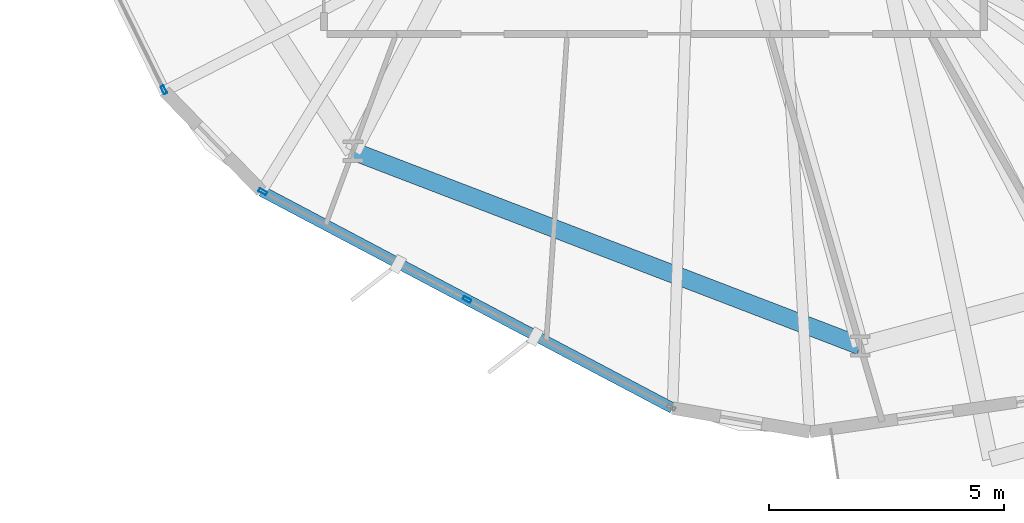
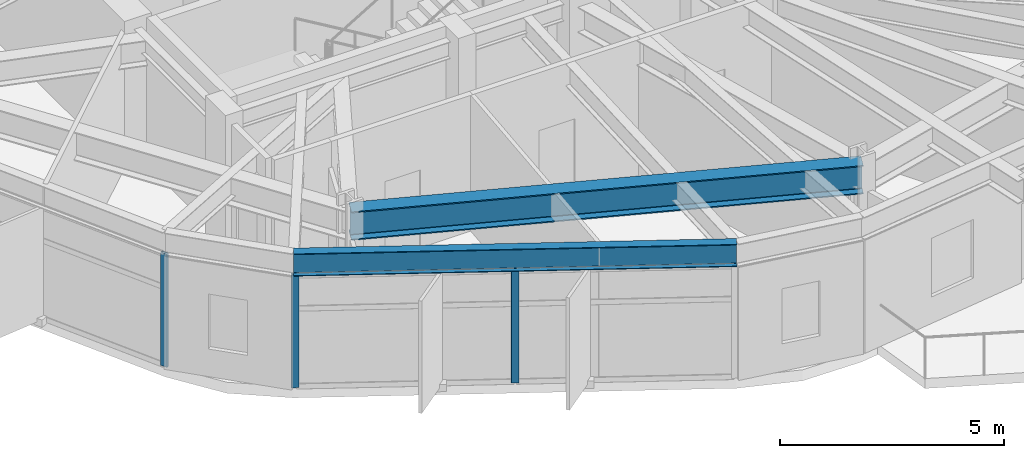
# One storey, part 2 of 22: 3 members, 2 beams, 2 elements without a shape of their own.
"""IFC4 building model written with IfcOpenShell, lengths in metres."""

import ifcopenshell
import ifcopenshell.guid

model = None  # the IFC model being written
_history = None  # IfcOwnerHistory: only IFC2X3 demands one
_inside = {}  # id of a spatial element -> (the spatial element, [elements in it])
_under = {}  # id of a project, library or spatial element -> (it, [spatial elements below it])
_declared = {}  # id of a project -> (the project, [libraries it declares])
_typed = {}  # id of a type object -> (the type object, [elements of that type])
_made_of = {}  # id of a material, layer set ... -> (it, [elements and type objects made of it])


def new_model(schema):
    """Start an empty IFC model of exactly this schema.

    Asked for "IFC4X3", IfcOpenShell would pick the latest addendum, in which some entities
    have other attributes; the version numbers below select the first issue.
    IFC2X3 requires an IfcOwnerHistory on every rooted entity: one is made here for all.
    """
    global model, _history
    if schema == "IFC4X3":
        model = ifcopenshell.file(schema_version=(4, 3, 0, 0))
    else:
        model = ifcopenshell.file(schema=schema)
    _inside.clear()
    _under.clear()
    _declared.clear()
    _typed.clear()
    _made_of.clear()
    _history = None
    if model.schema == "IFC2X3":
        org = make("IfcOrganization", Name="unknown")
        user = make(
            "IfcPersonAndOrganization",
            ThePerson=make("IfcPerson", FamilyName="unknown"),
            TheOrganization=org,
        )
        app = make(
            "IfcApplication",
            ApplicationDeveloper=org,
            Version="unknown",
            ApplicationFullName="unknown",
            ApplicationIdentifier="unknown",
        )
        _history = make(
            "IfcOwnerHistory",
            OwningUser=user,
            OwningApplication=app,
            ChangeAction="ADDED",
            CreationDate=0,
        )
    return model


def make(cls, **values):
    """One entity of the class cls with the attributes given. An attribute that is None is left unset."""
    return model.create_entity(
        cls, **{name: value for name, value in values.items() if value is not None}
    )


def rooted(cls, **values):
    """An entity with a GlobalId (a new one), such as an element, a storey or a relation."""
    return make(cls, GlobalId=ifcopenshell.guid.new(), OwnerHistory=_history, **values)


def si_unit(unit_type, name, prefix=None):
    """IfcSIUnit, for example si_unit("LENGTHUNIT", "METRE", prefix="MILLI")."""
    return make("IfcSIUnit", UnitType=unit_type, Prefix=prefix, Name=name)


def assignment(units):
    """IfcUnitAssignment: the units of a project."""
    return None if units is None else make("IfcUnitAssignment", Units=units)


def point(xyz):
    """IfcCartesianPoint."""
    return None if xyz is None else make("IfcCartesianPoint", Coordinates=xyz)


def direction(xyz):
    """IfcDirection."""
    return None if xyz is None else make("IfcDirection", DirectionRatios=xyz)


def frame(location, z_axis=None, x_axis=None):
    """IfcAxis2Placement3D, a coordinate frame: its origin and axes. An axis left out is left unset."""
    return make(
        "IfcAxis2Placement3D",
        Location=point(location),
        Axis=direction(z_axis),
        RefDirection=direction(x_axis),
    )


def frame_2d(location, x_axis=None):
    """IfcAxis2Placement2D, a coordinate frame in the plane: its origin and x axis."""
    return make(
        "IfcAxis2Placement2D", Location=point(location), RefDirection=direction(x_axis)
    )


def origin():
    """The frame at (0, 0, 0) with its axes left unset."""
    return frame((0.0, 0.0, 0.0))


def origin_2d():
    """The frame at (0, 0) in the plane with its x axis left unset."""
    return frame_2d((0.0, 0.0))


def place(relative_to, where):
    """IfcLocalPlacement: puts the frame where relative to a parent placement (None: the world)."""
    return make(
        "IfcLocalPlacement", PlacementRelTo=relative_to, RelativePlacement=where
    )


def context(
    kind, dimensions, precision=None, world=None, true_north=None, identifier=None
):
    """IfcGeometricRepresentationContext, for example the 3D "Model" context."""
    return make(
        "IfcGeometricRepresentationContext",
        ContextIdentifier=identifier,
        ContextType=kind,
        CoordinateSpaceDimension=dimensions,
        Precision=precision,
        WorldCoordinateSystem=world,
        TrueNorth=true_north,
    )


def subcontext(parent, identifier, kind, view, scale=None):
    """IfcGeometricRepresentationSubContext, for example "Body" below "Model"."""
    return make(
        "IfcGeometricRepresentationSubContext",
        ContextIdentifier=identifier,
        ContextType=kind,
        ParentContext=parent,
        TargetScale=scale,
        TargetView=view,
    )


def project(units=None, contexts=None):
    """IfcProject with its units and contexts."""
    return rooted(
        "IfcProject",
        Name="project",
        RepresentationContexts=contexts,
        UnitsInContext=assignment(units),
    )


def spatial(cls, under=None, at=None, **own):
    """A site, building, storey or space (cls), placed at a placement, below another one or the project."""
    s = rooted(cls, ObjectPlacement=at, **own)
    if under is not None:
        _under.setdefault(under.id(), (under, []))[1].append(s)
    return s


def profile(cls, at=None, kind="AREA", **sizes):
    """A parametric profile (cls). Its sizes go by their IFC names, for example OverallWidth=200.0."""
    return make(cls, ProfileType=kind, Position=at, **sizes)


def hollow_rectangle(**sizes):
    """IfcRectangleHollowProfileDef."""
    return profile("IfcRectangleHollowProfileDef", **sizes)


def i_section(**sizes):
    """IfcIShapeProfileDef."""
    return profile("IfcIShapeProfileDef", **sizes)


def extrude(swept, where, along, depth):
    """IfcExtrudedAreaSolid: the profile swept, set in the frame where, extruded along a direction by depth."""
    return make(
        "IfcExtrudedAreaSolid",
        SweptArea=swept,
        Position=where,
        ExtrudedDirection=direction(along),
        Depth=depth,
    )


def shape(context_of_items, identifier, shape_type, items):
    """IfcShapeRepresentation: the items that make up one representation, for example the "Body"."""
    return make(
        "IfcShapeRepresentation",
        ContextOfItems=context_of_items,
        RepresentationIdentifier=identifier,
        RepresentationType=shape_type,
        Items=items,
    )


def material(Name=None, Category=None):
    """IfcMaterial."""
    return make("IfcMaterial", Name=Name, Category=Category)


def layer(
    of_material, thickness, ventilated=None, Name=None, Category=None, Priority=None
):
    """IfcMaterialLayer: one layer of a wall or slab, of a material (None: an air gap)."""
    return make(
        "IfcMaterialLayer",
        Material=of_material,
        LayerThickness=thickness,
        IsVentilated=ventilated,
        Name=Name,
        Category=Category,
        Priority=Priority,
    )


def layer_set(layers, Name=None):
    """IfcMaterialLayerSet."""
    return make("IfcMaterialLayerSet", MaterialLayers=layers, LayerSetName=Name)


def material_profile(
    of_material, cross_section, Name=None, Category=None, Priority=None
):
    """IfcMaterialProfile: a cross section and its material."""
    return make(
        "IfcMaterialProfile",
        Name=Name,
        Material=of_material,
        Profile=cross_section,
        Priority=Priority,
        Category=Category,
    )


def profile_set(profiles, Name=None, composite=None):
    """IfcMaterialProfileSet."""
    return make(
        "IfcMaterialProfileSet",
        Name=Name,
        MaterialProfiles=profiles,
        CompositeProfile=composite,
    )


def made_of(thing, what):
    """Note that an element or type object is made of a material, layer set ...; save() writes the relation."""
    if what is not None:
        _made_of.setdefault(what.id(), (what, []))[1].append(thing)
    return thing


def type_object(cls, material=None, **own):
    """A type object (cls), such as IfcWallType, which elements share."""
    return made_of(rooted(cls, **own), material)


def element(
    cls,
    number,
    at=None,
    inside=None,
    cuts=None,
    type_object=None,
    material=None,
    context=None,
    identifier="Body",
    shape_type=None,
    held_by="IfcProductDefinitionShape",
    body=None,
    shapes=None,
    **own,
):
    """One element of the class cls, such as IfcWall. Its Tag is "e" and its number.

    at: its placement. inside: the storey or other place that contains it. cuts: it is an
    opening in that element (IfcRelVoidsElement). A single representation is given by context,
    identifier, shape_type and body (its items); several are given by shapes. held_by: the class
    of the entity that holds the representations. save() writes the other relations.
    """
    e = rooted(cls, Tag="e%d" % number, ObjectPlacement=at, **own)
    if body is not None:
        shapes = [shape(context, identifier, shape_type, body)]
    if shapes is not None:
        e.Representation = make(held_by, Representations=shapes)
    if inside is not None:
        _inside.setdefault(inside.id(), (inside, []))[1].append(e)
    if cuts is not None:
        rooted(
            "IfcRelVoidsElement", RelatingBuildingElement=cuts, RelatedOpeningElement=e
        )
    if type_object is not None:
        _typed.setdefault(type_object.id(), (type_object, []))[1].append(e)
    return made_of(e, material)


def aggregate(whole, parts):
    """IfcRelAggregates: a whole, such as a stair, and the parts it consists of."""
    return rooted("IfcRelAggregates", RelatingObject=whole, RelatedObjects=parts)


def save(model, path):
    """Write the relations noted so far, then the file.

    IfcRelAggregates (storeys below a building ...), IfcRelContainedInSpatialStructure (elements
    in a storey), IfcRelDefinesByType, IfcRelAssociatesMaterial and IfcRelDeclares: one each for
    every whole, place, type object, material and project.
    """
    for whole, parts in _under.values():
        aggregate(whole, parts)
    for where, things in _inside.values():
        rooted(
            "IfcRelContainedInSpatialStructure",
            RelatedElements=things,
            RelatingStructure=where,
        )
    for kind, things in _typed.values():
        rooted("IfcRelDefinesByType", RelatedObjects=things, RelatingType=kind)
    for what, things in _made_of.values():
        rooted("IfcRelAssociatesMaterial", RelatedObjects=things, RelatingMaterial=what)
    for by, libraries in _declared.values():
        rooted("IfcRelDeclares", RelatingContext=by, RelatedDefinitions=libraries)
    model.write(path)


model = new_model("IFC4")

# Units and contexts
model_context = context("Model", 3, precision=1e-05, world=origin(), true_north=direction((0.0, 1.0)))
body_context = subcontext(model_context, "Body", "Model", "MODEL_VIEW")
ifc_project = project(units=[si_unit("LENGTHUNIT", "METRE"), si_unit("AREAUNIT", "SQUARE_METRE"), si_unit("VOLUMEUNIT", "CUBIC_METRE"), si_unit("PLANEANGLEUNIT", "RADIAN"), si_unit("MASSUNIT", "GRAM", prefix="KILO")], contexts=[model_context])

# Site, building, storey
site_placement = place(None, origin())
site = spatial("IfcSite", under=ifc_project, at=site_placement, CompositionType="ELEMENT")
building_placement = place(site_placement, origin())
building = spatial("IfcBuilding", under=site, at=building_placement, Name="Soratama Intermodal Tower", CompositionType="ELEMENT")
storey_placement = place(building_placement, frame((0.0, 0.0, 58.60009765625)))
storey = spatial("IfcBuildingStorey", under=building, at=storey_placement, Name="L13", CompositionType="ELEMENT", Elevation=58.60009765625)

# Beams
ifc_material_1 = material(Name="Structural steel ASTM A992 Grade 50", Category="steel")
ifc_material_profile_1 = material_profile(ifc_material_1, i_section(OverallWidth=0.382080078125, OverallDepth=0.779052734375, WebThickness=0.01806640625, FlangeThickness=0.030029296875, FilletRadius=0.01806640625, at=origin_2d()), Name="W30X191")
ifc_profile_set_1 = profile_set([ifc_material_profile_1], Name="Structural steel ASTM A992 Grade 50")
beam_type_1 = type_object("IfcBeamType", Name="BM-RING-W30X191", PredefinedType="BEAM", material=ifc_profile_set_1)
beam_1_placement = place(storey_placement, frame((33.218994140625, 10.451904296875, 3.310302734375), z_axis=(0.933584159632, -0.358358224246, 0.0), x_axis=(0.358358224246, 0.933584159632, 0.0)))
element("IfcBeam", 1, at=beam_1_placement, inside=storey, type_object=beam_type_1, Name="BM-L13-RING-07", PredefinedType="BEAM", context=body_context, shape_type="SweptSolid", body=[
    extrude(i_section(OverallWidth=0.382080078125, OverallDepth=0.779052734375, WebThickness=0.01806640625, FlangeThickness=0.030029296875, FilletRadius=0.01806640625, at=origin_2d()), origin(), (0.0, 0.0, 1.0), 11.5693359375),
])
ifc_material_2 = material(Name="Structural steel ASTM A992 Grade 50", Category="steel")
ifc_material_profile_2 = material_profile(ifc_material_2, i_section(OverallWidth=0.22900390625, OverallDepth=0.612060546875, WebThickness=0.011962890625, FlangeThickness=0.01953125, FilletRadius=0.012939453125, at=origin_2d()), Name="W24X84")
ifc_profile_set_2 = profile_set([ifc_material_profile_2], Name="Structural steel ASTM A992 Grade 50")
beam_type_2 = type_object("IfcBeamType", Name="BM-SPN-W24X84", PredefinedType="SPANDREL", material=ifc_profile_set_2)
beam_2_placement = place(storey_placement, frame((31.27294921875, 9.60302734375, 3.393798828125), z_axis=(0.884257978379, -0.466998744831, 0.0), x_axis=(0.466998744831, 0.884257978379, 0.0)))
element("IfcBeam", 2, at=beam_2_placement, inside=storey, type_object=beam_type_2, Name="BS-L13-F07", PredefinedType="SPANDREL", context=body_context, shape_type="SweptSolid", body=[
    extrude(i_section(OverallWidth=0.22900390625, OverallDepth=0.612060546875, WebThickness=0.011962890625, FlangeThickness=0.01953125, FilletRadius=0.012939453125, at=origin_2d()), origin(), (0.0, 0.0, 1.0), 9.895263671875),
])

# Curtain wall, member
ifc_material_3 = material(Name="Double-glazed aluminium curtain wall", Category="aluminium")
ifc_layer = layer(ifc_material_3, 0.159912109375)
ifc_layer_set = layer_set([ifc_layer], Name="Double-glazed aluminium curtain wall")
curtain_wall_type = type_object("IfcCurtainWallType", Name="CW-SYS-2", PredefinedType="NOTDEFINED", material=ifc_layer_set)
curtain_wall_1_placement = place(storey_placement, origin())
curtain_wall_1 = element("IfcCurtainWall", 3, at=curtain_wall_1_placement, inside=storey, type_object=curtain_wall_type, Name="L13 Faceted Curtain Wall F06", PredefinedType="NOTDEFINED")
ifc_material_4 = material(Name="Anodised aluminium AA 6063-T6", Category="aluminium")
ifc_material_profile_3 = material_profile(ifc_material_4, hollow_rectangle(XDim=0.074951171875, YDim=0.179931640625, WallThickness=0.006103515625, InnerFilletRadius=0.006103515625, OuterFilletRadius=0.011962890625, at=origin_2d()), Name="CWM180X75X6")
ifc_profile_set_3 = profile_set([ifc_material_profile_3], Name="Anodised aluminium AA 6063-T6")
member_type = type_object("IfcMemberType", Name="MT-CWM-2", PredefinedType="MULLION", material=ifc_profile_set_3)
member_1_placement = place(storey_placement, frame((29.193603515625, 11.7578125, 0.0), z_axis=(0.0, 0.0, 1.0), x_axis=(0.897568289772, 0.440875453156, 0.0)))
member_1 = element("IfcMember", 4, at=member_1_placement, type_object=member_type, Name="CW-2 mullion 3", PredefinedType="MULLION", context=body_context, shape_type="SweptSolid", body=[
    extrude(hollow_rectangle(XDim=0.074951171875, YDim=0.179931640625, WallThickness=0.006103515625, InnerFilletRadius=0.006103515625, OuterFilletRadius=0.011962890625, at=origin_2d()), origin(), (0.0, 0.0, 1.0), 3.078857421875),
])
aggregate(curtain_wall_1, [member_1])

# Curtain wall, members
curtain_wall_2_placement = place(storey_placement, origin())
curtain_wall_2 = element("IfcCurtainWall", 5, at=curtain_wall_2_placement, inside=storey, type_object=curtain_wall_type, Name="L13 Faceted Curtain Wall F07", PredefinedType="NOTDEFINED")
member_2_placement = place(storey_placement, frame((31.300048828125, 9.588623046875, 0.0), z_axis=(0.0, 0.0, 1.0), x_axis=(0.467001461398, 0.884256543686, 0.0)))
member_2 = element("IfcMember", 6, at=member_2_placement, type_object=member_type, Name="CW-2 mullion 1", PredefinedType="MULLION", context=body_context, shape_type="SweptSolid", body=[
    extrude(hollow_rectangle(XDim=0.074951171875, YDim=0.179931640625, WallThickness=0.006103515625, InnerFilletRadius=0.006103515625, OuterFilletRadius=0.011962890625, at=origin_2d()), origin(), (0.0, 0.0, 1.0), 3.078857421875),
])
member_3_placement = place(storey_placement, frame((35.64794921875, 7.292236328125, 0.0), z_axis=(0.0, 0.0, 1.0), x_axis=(0.467001461398, 0.884256543686, 0.0)))
member_3 = element("IfcMember", 7, at=member_3_placement, type_object=member_type, Name="CW-2 mullion 2", PredefinedType="MULLION", context=body_context, shape_type="SweptSolid", body=[
    extrude(hollow_rectangle(XDim=0.074951171875, YDim=0.179931640625, WallThickness=0.006103515625, InnerFilletRadius=0.006103515625, OuterFilletRadius=0.011962890625, at=origin_2d()), origin(), (0.0, 0.0, 1.0), 3.078857421875),
])
aggregate(curtain_wall_2, [member_2, member_3])

save(model, "model.ifc")
